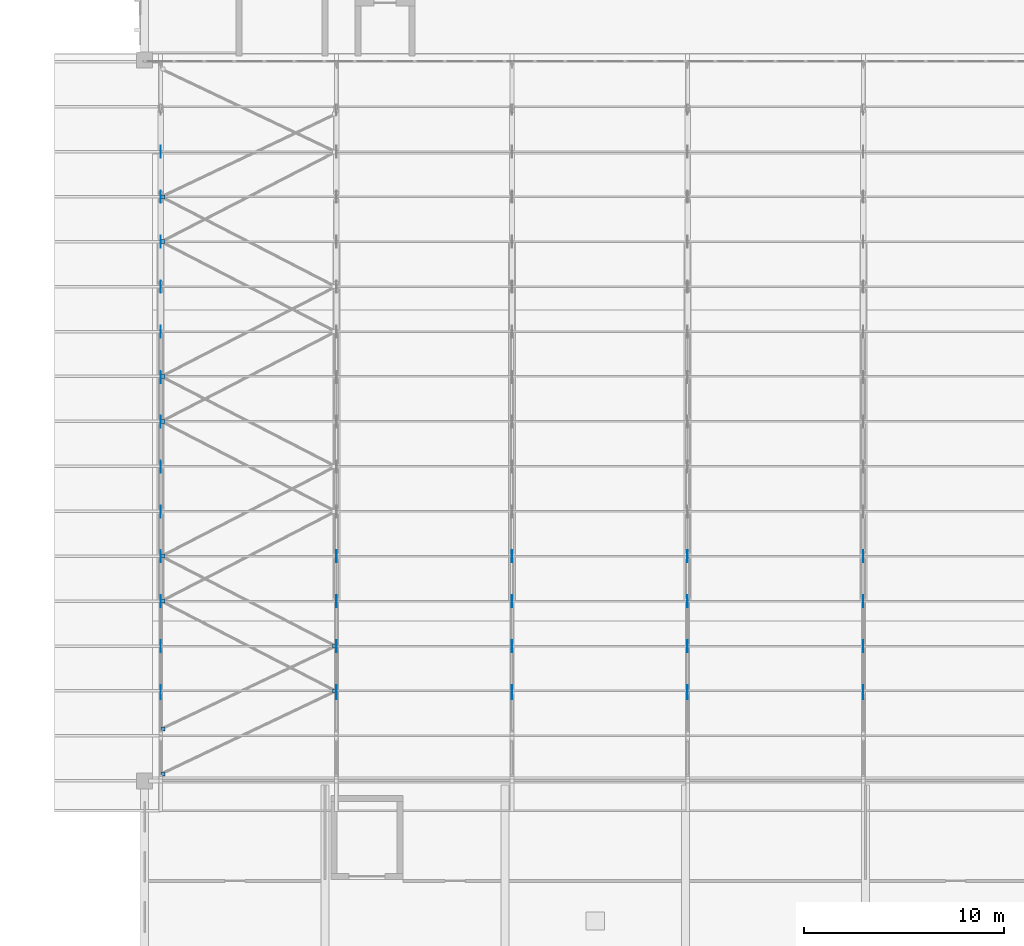
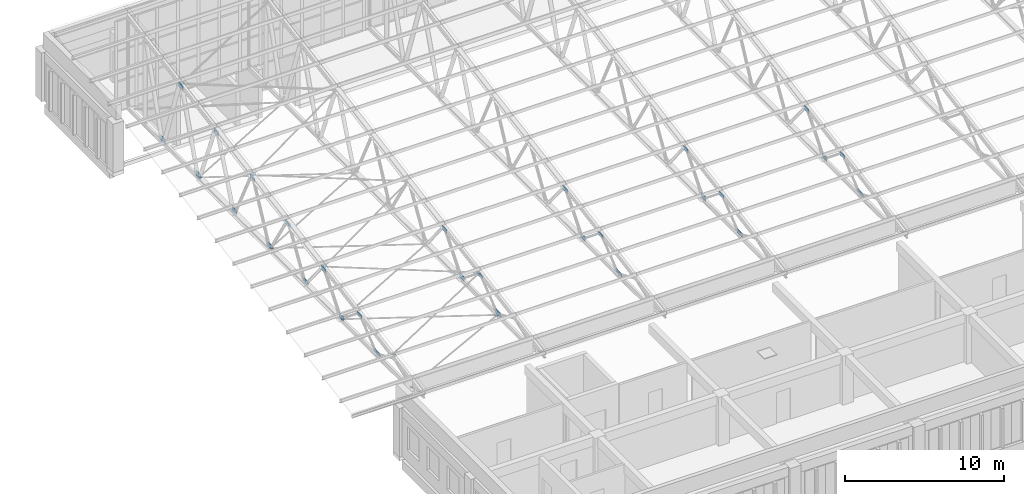
# One storey, part 149 of 185: 39 discrete accessories.
"""IFC4 building model written with IfcOpenShell, lengths in metres."""

from ifc_helpers import new_model, si_unit, direction, frame, origin, origin_2d, place, context, subcontext, project, spatial, rectangle, extrude, material, layer, layer_set, type_object, element, save


model = new_model("IFC4")

# Units and contexts
model_context = context("Model", 3, precision=1e-05, world=origin(), true_north=direction((0.0, 1.0)))
body_context = subcontext(model_context, "Body", "Model", "MODEL_VIEW")
ifc_project = project(units=[si_unit("LENGTHUNIT", "METRE"), si_unit("AREAUNIT", "SQUARE_METRE"), si_unit("VOLUMEUNIT", "CUBIC_METRE"), si_unit("PLANEANGLEUNIT", "RADIAN"), si_unit("MASSUNIT", "GRAM", prefix="KILO")], contexts=[model_context])

# Site, building, storey
site_placement = place(None, origin())
site = spatial("IfcSite", under=ifc_project, at=site_placement, CompositionType="ELEMENT")
building_placement = place(site_placement, origin())
building = spatial("IfcBuilding", under=site, at=building_placement, Name="Opaline Strait Convention Centre", CompositionType="ELEMENT")
storey_placement = place(building_placement, frame((0.0, 0.0, 6.0)))
storey = spatial("IfcBuildingStorey", under=building, at=storey_placement, Name="L01", CompositionType="ELEMENT", Elevation=6.0)

# Discrete accessories
ifc_material = material(Name="Steel Q355B", Category="steel")
ifc_layer_1 = layer(ifc_material, 0.014892578125)
ifc_layer_set_1 = layer_set([ifc_layer_1], Name="Steel Q355B")
discrete_accessory_type_1 = type_object("IfcDiscreteAccessoryType", Name="Brace gusset plate 200 x 200 x 15", PredefinedType="USERDEFINED", material=ifc_layer_set_1)
for number, where, z_axis, x_axis, name in (
    (1, (288.903564453125, 27.35009765625, 4.49267578125), (0.0, 0.0, 1.0), (1.0, 0.0, 0.0), "BNP8 roof brace gusset plate end bay 1 bottom plane"),
    (2, (288.903564453125, 35.97509765625, 4.49267578125), (0.0, 0.0, 1.0), (1.0, 0.0, 0.0), "BNP8 roof brace gusset plate end bay 1 bottom plane"),
    (3, (288.906005859375, 44.949951171875, 4.49267578125), (0.0, 0.0, 1.0), (1.0, 0.0, 0.0), "BNP8 roof brace gusset plate end bay 1 bottom plane"),
    (4, (288.903564453125, 53.925048828125, 4.49267578125), (0.0, 0.0, 1.0), (1.0, 0.0, 0.0), "BNP8 roof brace gusset plate end bay 1 bottom plane"),
    (5, (297.468017578125, 31.487548828125, 4.49267578125), (0.0, 0.0, 1.0), (1.0, 0.0, 0.0), "BNP8 roof brace gusset plate end bay 1 bottom plane"),
    (6, (288.903564453125, 29.59375, 5.64990234375), (0.0, 0.0, 1.0), (1.0, 0.0, 0.0), "BNP8 roof brace gusset plate end bay 1 top plane"),
    (7, (288.906005859375, 38.21875, 7.1708984375), (0.0, 0.0, 1.0), (1.0, 0.0, 0.0), "BNP8 roof brace gusset plate end bay 1 top plane"),
    (8, (288.906005859375, 47.19384765625, 8.75341796875), (0.0, 0.0, 1.0), (1.0, 0.0, 0.0), "BNP8 roof brace gusset plate end bay 1 top plane"),
    (9, (288.903564453125, 56.168701171875, 10.3359375), (0.0, 0.0, 1.0), (1.0, 0.0, 0.0), "BNP8 roof brace gusset plate end bay 1 top plane"),
    (10, (297.468017578125, 33.731201171875, 6.37939453125), (0.0, 0.0, 1.0), (1.0, 0.0, 0.0), "BNP8 roof brace gusset plate end bay 1 top plane"),
):
    element("IfcDiscreteAccessory", number, at=place(storey_placement, frame(where, z_axis=z_axis, x_axis=x_axis)), inside=storey, type_object=discrete_accessory_type_1, Name=name, ObjectType="NODE HUB", PredefinedType="USERDEFINED", context=body_context, shape_type="SweptSolid", body=[
        extrude(rectangle(XDim=0.199951171875, YDim=0.199951171875, at=origin_2d()), origin(), (0.0, 0.0, 1.0), 0.014892578125),
    ])
ifc_layer_2 = layer(ifc_material, 0.014892578125)
ifc_layer_set_2 = layer_set([ifc_layer_2], Name="Steel Q355B")
discrete_accessory_type_2 = type_object("IfcDiscreteAccessoryType", Name="Truss node plate 600 x 300 x 15", PredefinedType="USERDEFINED", material=ifc_layer_set_2)
for number, where, z_axis, x_axis, name in (
    (11, (288.800048828125, 33.714111328125, 6.0361328125), (0.0, 0.0, 1.0), (1.0, 0.0, 0.0), "BNP6 truss node plate line 1 top node"),
    (12, (297.5712890625, 33.714111328125, 6.0361328125), (0.0, 0.0, 1.0), (1.0, 0.0, 0.0), "BNP6 truss node plate line 2 top node"),
    (13, (306.343017578125, 33.714111328125, 6.0361328125), (0.0, 0.0, 1.0), (1.0, 0.0, 0.0), "BNP6 truss node plate line 3 top node"),
    (14, (315.1142578125, 33.714111328125, 6.0361328125), (0.0, 0.0, 1.0), (1.0, 0.0, 0.0), "BNP6 truss node plate line 4 top node"),
    (15, (323.8857421875, 33.714111328125, 6.0361328125), (0.0, 0.0, 1.0), (1.0, 0.0, 0.0), "BNP6 truss node plate line 5 top node"),
):
    element("IfcDiscreteAccessory", number, at=place(storey_placement, frame(where, z_axis=z_axis, x_axis=x_axis)), inside=storey, type_object=discrete_accessory_type_2, Name=name, ObjectType="NODE HUB", PredefinedType="USERDEFINED", context=body_context, shape_type="SweptSolid", body=[
        extrude(rectangle(XDim=0.014892578125, YDim=0.60009765625, at=origin_2d()), origin(), (0.0, 0.0, 1.0), 0.300048828125),
    ])
ifc_layer_3 = layer(ifc_material, 0.014892578125)
ifc_layer_set_3 = layer_set([ifc_layer_3], Name="Steel Q355B")
discrete_accessory_type_3 = type_object("IfcDiscreteAccessoryType", Name="Truss node plate 600 x 350 x 15", PredefinedType="USERDEFINED", material=ifc_layer_set_3)
for number, where, z_axis, x_axis, name in (
    (16, (288.800048828125, 35.967041015625, 4.52001953125), (0.0, 0.0, 1.0), (1.0, 0.0, 0.0), "BNP2 truss node plate line 1 bottom node"),
    (17, (288.800048828125, 40.441650390625, 4.52001953125), (0.0, 0.0, 1.0), (1.0, 0.0, 0.0), "BNP2 truss node plate line 1 bottom node"),
    (18, (288.800048828125, 44.92236328125, 4.52001953125), (0.0, 0.0, 1.0), (1.0, 0.0, 0.0), "BNP2 truss node plate line 1 bottom node"),
    (19, (288.800048828125, 38.20947265625, 6.8037109375), (0.0, 0.0, 1.0), (1.0, 0.0, 0.0), "BNP2 truss node plate line 1 top node"),
    (20, (288.800048828125, 42.6845703125, 7.5927734375), (0.0, 0.0, 1.0), (1.0, 0.0, 0.0), "BNP2 truss node plate line 1 top node"),
    (21, (288.800048828125, 47.165771484375, 8.383056640625), (0.0, 0.0, 1.0), (1.0, 0.0, 0.0), "BNP2 truss node plate line 1 top node"),
    (22, (297.5712890625, 35.967041015625, 4.52001953125), (0.0, 0.0, 1.0), (1.0, 0.0, 0.0), "BNP2 truss node plate line 2 bottom node"),
    (23, (297.5712890625, 38.20947265625, 6.8037109375), (0.0, 0.0, 1.0), (1.0, 0.0, 0.0), "BNP2 truss node plate line 2 top node"),
    (24, (306.343017578125, 35.967041015625, 4.52001953125), (0.0, 0.0, 1.0), (1.0, 0.0, 0.0), "BNP2 truss node plate line 3 bottom node"),
    (25, (306.343017578125, 38.20947265625, 6.8037109375), (0.0, 0.0, 1.0), (1.0, 0.0, 0.0), "BNP2 truss node plate line 3 top node"),
    (26, (315.1142578125, 35.967041015625, 4.52001953125), (0.0, 0.0, 1.0), (1.0, 0.0, 0.0), "BNP2 truss node plate line 4 bottom node"),
    (27, (315.1142578125, 38.20947265625, 6.8037109375), (0.0, 0.0, 1.0), (1.0, 0.0, 0.0), "BNP2 truss node plate line 4 top node"),
    (28, (323.8857421875, 35.967041015625, 4.52001953125), (0.0, 0.0, 1.0), (1.0, 0.0, 0.0), "BNP2 truss node plate line 5 bottom node"),
    (29, (323.8857421875, 38.20947265625, 6.8037109375), (0.0, 0.0, 1.0), (1.0, 0.0, 0.0), "BNP2 truss node plate line 5 top node"),
):
    element("IfcDiscreteAccessory", number, at=place(storey_placement, frame(where, z_axis=z_axis, x_axis=x_axis)), inside=storey, type_object=discrete_accessory_type_3, Name=name, ObjectType="NODE HUB", PredefinedType="USERDEFINED", context=body_context, shape_type="SweptSolid", body=[
        extrude(rectangle(XDim=0.014892578125, YDim=0.60009765625, at=origin_2d()), origin(), (0.0, 0.0, 1.0), 0.35009765625),
    ])
ifc_layer_4 = layer(ifc_material, 0.014892578125)
ifc_layer_set_4 = layer_set([ifc_layer_4], Name="Steel Q355B")
discrete_accessory_type_4 = type_object("IfcDiscreteAccessoryType", Name="Truss node plate 600 x 400 x 15", PredefinedType="USERDEFINED", material=ifc_layer_set_4)
for number, where, z_axis, x_axis, name in (
    (30, (288.800048828125, 49.434814453125, 4.4951171875), (0.0, 0.0, 1.0), (1.0, 0.0, 0.0), "BNP3 truss node plate line 1 bottom node"),
    (31, (288.800048828125, 53.91943359375, 4.4951171875), (0.0, 0.0, 1.0), (1.0, 0.0, 0.0), "BNP3 truss node plate line 1 bottom node"),
    (32, (288.800048828125, 58.4052734375, 4.4951171875), (0.0, 0.0, 1.0), (1.0, 0.0, 0.0), "BNP3 truss node plate line 1 bottom node"),
    (33, (288.800048828125, 51.67822265625, 9.15380859375), (0.0, 0.0, 1.0), (1.0, 0.0, 0.0), "BNP3 truss node plate line 1 top node"),
    (34, (288.800048828125, 56.1630859375, 9.944580078125), (0.0, 0.0, 1.0), (1.0, 0.0, 0.0), "BNP3 truss node plate line 1 top node"),
):
    element("IfcDiscreteAccessory", number, at=place(storey_placement, frame(where, z_axis=z_axis, x_axis=x_axis)), inside=storey, type_object=discrete_accessory_type_4, Name=name, ObjectType="NODE HUB", PredefinedType="USERDEFINED", context=body_context, shape_type="SweptSolid", body=[
        extrude(rectangle(XDim=0.014892578125, YDim=0.60009765625, at=origin_2d()), origin(), (0.0, 0.0, 1.0), 0.39990234375),
    ])
ifc_layer_5 = layer(ifc_material, 0.014892578125)
ifc_layer_set_5 = layer_set([ifc_layer_5], Name="Steel Q355B")
discrete_accessory_type_5 = type_object("IfcDiscreteAccessoryType", Name="Truss node plate 700 x 300 x 15", PredefinedType="USERDEFINED", material=ifc_layer_set_5)
for number, where, z_axis, x_axis, name in (
    (35, (288.800048828125, 31.42333984375, 4.544921875), (0.0, 0.0, 1.0), (1.0, 0.0, 0.0), "BNP1 truss node plate line 1 bottom node"),
    (36, (297.5712890625, 31.42333984375, 4.544921875), (0.0, 0.0, 1.0), (1.0, 0.0, 0.0), "BNP1 truss node plate line 2 bottom node"),
    (37, (306.343017578125, 31.42333984375, 4.544921875), (0.0, 0.0, 1.0), (1.0, 0.0, 0.0), "BNP1 truss node plate line 3 bottom node"),
    (38, (315.1142578125, 31.42333984375, 4.544921875), (0.0, 0.0, 1.0), (1.0, 0.0, 0.0), "BNP1 truss node plate line 4 bottom node"),
    (39, (323.8857421875, 31.42333984375, 4.544921875), (0.0, 0.0, 1.0), (1.0, 0.0, 0.0), "BNP1 truss node plate line 5 bottom node"),
):
    element("IfcDiscreteAccessory", number, at=place(storey_placement, frame(where, z_axis=z_axis, x_axis=x_axis)), inside=storey, type_object=discrete_accessory_type_5, Name=name, ObjectType="NODE HUB", PredefinedType="USERDEFINED", context=body_context, shape_type="SweptSolid", body=[
        extrude(rectangle(XDim=0.014892578125, YDim=0.699951171875, at=origin_2d()), origin(), (0.0, 0.0, 1.0), 0.300048828125),
    ])

save(model, "model.ifc")
